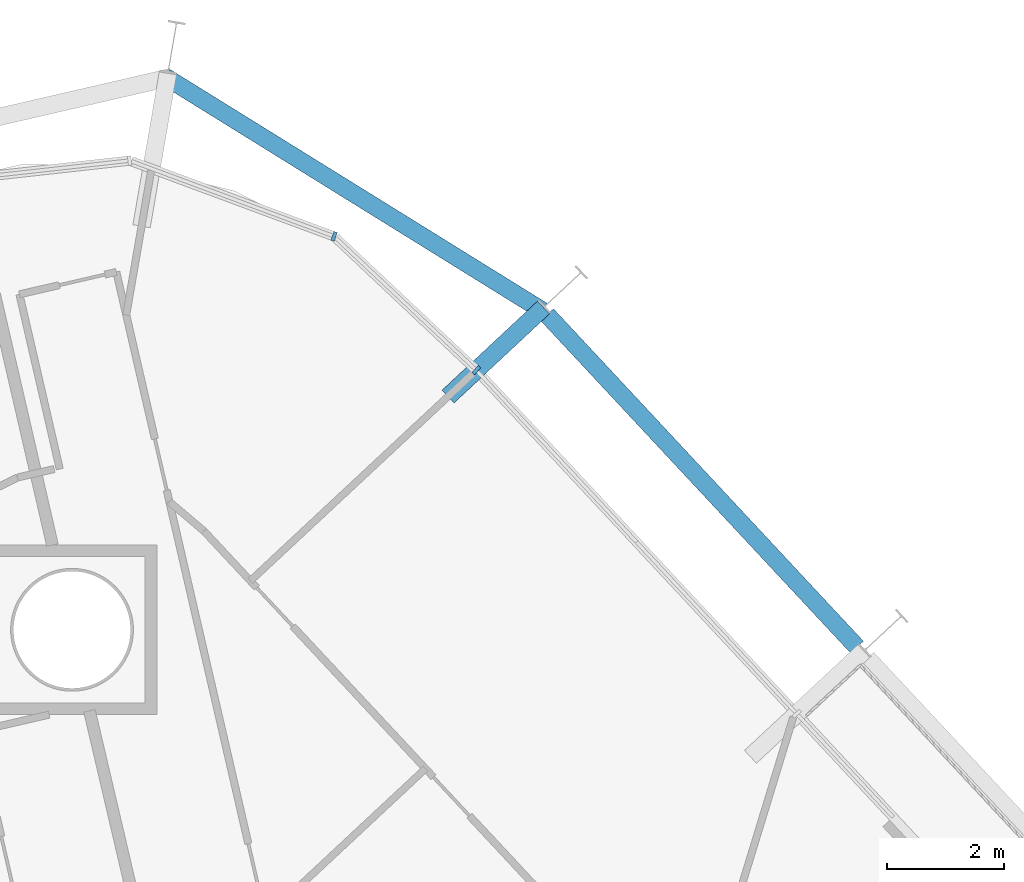
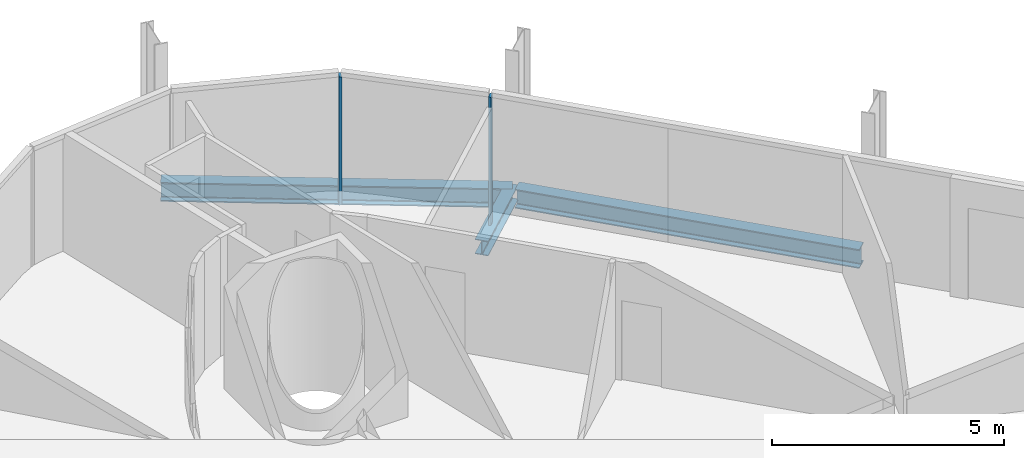
# One storey, part 8 of 18: 3 beams, 2 members, 1 element without a shape of its own.
"""IFC4 building model written with IfcOpenShell, lengths in metres."""

from ifc_helpers import new_model, si_unit, direction, frame, origin, origin_2d, place, context, subcontext, project, spatial, rectangle, i_section, extrude, material, layer, layer_set, material_profile, profile_set, type_object, element, aggregate, save


model = new_model("IFC4")

# Units and contexts
model_context = context("Model", 3, precision=1e-05, world=origin(), true_north=direction((0.0, 1.0)))
body_context = subcontext(model_context, "Body", "Model", "MODEL_VIEW")
ifc_project = project(units=[si_unit("LENGTHUNIT", "METRE"), si_unit("AREAUNIT", "SQUARE_METRE"), si_unit("VOLUMEUNIT", "CUBIC_METRE"), si_unit("PLANEANGLEUNIT", "RADIAN"), si_unit("MASSUNIT", "GRAM", prefix="KILO")], contexts=[model_context])

# Site, building, storey
site_placement = place(None, origin())
site = spatial("IfcSite", under=ifc_project, at=site_placement, CompositionType="ELEMENT")
building_placement = place(site_placement, origin())
building = spatial("IfcBuilding", under=site, at=building_placement, Name="Spindle Arch Residences", CompositionType="ELEMENT")
storey_placement = place(building_placement, frame((0.0, 0.0, 130.89990234375)))
storey = spatial("IfcBuildingStorey", under=building, at=storey_placement, Name="L32", CompositionType="ELEMENT", Elevation=130.89990234375)

# Curtain wall, members
ifc_material_1 = material(Name="Aluminium bronze unitised frame with tinted glass", Category="aluminium")
ifc_layer = layer(ifc_material_1, 0.159912109375)
ifc_layer_set = layer_set([ifc_layer], Name="CW-D corner wall on the fillet arcs")
curtain_wall_type = type_object("IfcCurtainWallType", Name="CW-D corner wall on the fillet arcs", PredefinedType="NOTDEFINED", material=ifc_layer_set)
curtain_wall_placement = place(storey_placement, origin())
curtain_wall = element("IfcCurtainWall", 1, at=curtain_wall_placement, inside=storey, type_object=curtain_wall_type, Name="CW-D L32 run 3", PredefinedType="NOTDEFINED")
ifc_material_2 = material(Name="Aluminium bronze anodised mullion", Category="aluminium")
ifc_material_profile_1 = material_profile(ifc_material_2, rectangle(XDim=0.159912109375, YDim=0.06005859375, at=origin_2d()), Name="MU 60x160")
ifc_profile_set_1 = profile_set([ifc_material_profile_1], Name="Aluminium bronze anodised mullion")
member_type = type_object("IfcMemberType", Name="Bronze mullion 60x160", PredefinedType="MULLION", material=ifc_profile_set_1)
member_1_placement = place(storey_placement, frame((2.010009765625, 25.6611328125, -0.3798828125), z_axis=(0.0, 0.0, 1.0), x_axis=(-0.685289870681, -0.728270412102, 0.0)))
member_1 = element("IfcMember", 2, at=member_1_placement, type_object=member_type, Name="CW-D mullion 00", PredefinedType="MULLION", context=body_context, shape_type="SweptSolid", body=[
    extrude(rectangle(XDim=0.159912109375, YDim=0.06005859375, at=origin_2d()), origin(), (0.0, 0.0, 1.0), 3.3798828125),
])
member_2_placement = place(storey_placement, frame((-0.420654296875, 27.9482421875, -0.3798828125), z_axis=(0.0, 0.0, 1.0), x_axis=(-0.347481235896, -0.937686936403, 0.0)))
member_2 = element("IfcMember", 3, at=member_2_placement, type_object=member_type, Name="CW-D mullion 01", PredefinedType="MULLION", context=body_context, shape_type="SweptSolid", body=[
    extrude(rectangle(XDim=0.159912109375, YDim=0.06005859375, at=origin_2d()), origin(), (0.0, 0.0, 1.0), 3.3798828125),
])
aggregate(curtain_wall, [member_1, member_2])

# Beams
ifc_material_3 = material(Name="Steel S460ML, intumescent coating R 120", Category="steel")
ifc_material_profile_2 = material_profile(ifc_material_3, i_section(OverallWidth=0.300048828125, OverallDepth=0.5, WebThickness=0.014404296875, FlangeThickness=0.028076171875, FilletRadius=0.027099609375, at=origin_2d()), Name="HEB 500")
ifc_profile_set_2 = profile_set([ifc_material_profile_2], Name="Steel S460ML, intumescent coating R 120")
beam_type_1 = type_object("IfcBeamType", Name="Exoskeleton edge beam HEB 500", PredefinedType="BEAM", material=ifc_profile_set_2)
beam_1_placement = place(storey_placement, frame((8.51611328125, 20.927490234375, -0.6298828125), z_axis=(-0.681975565737, 0.731374957007, 0.0), x_axis=(-0.731374957007, -0.681975565737, 0.0)))
element("IfcBeam", 4, at=beam_1_placement, inside=storey, type_object=beam_type_1, Name="Exoskeleton edge beam 9", PredefinedType="BEAM", context=body_context, shape_type="SweptSolid", body=[
    extrude(i_section(OverallWidth=0.300048828125, OverallDepth=0.5, WebThickness=0.014404296875, FlangeThickness=0.028076171875, FilletRadius=0.027099609375, at=origin_2d()), origin(), (0.0, 0.0, 1.0), 7.76904296875),
])
beam_2_placement = place(storey_placement, frame((3.14404296875, 26.67626953125, -0.6298828125), z_axis=(-0.849846805049, 0.52702979797, 0.0), x_axis=(-0.52702979797, -0.849846805049, 0.0)))
element("IfcBeam", 5, at=beam_2_placement, inside=storey, type_object=beam_type_1, Name="Exoskeleton edge beam 10", PredefinedType="BEAM", context=body_context, shape_type="SweptSolid", body=[
    extrude(i_section(OverallWidth=0.300048828125, OverallDepth=0.5, WebThickness=0.014404296875, FlangeThickness=0.028076171875, FilletRadius=0.027099609375, at=origin_2d()), origin(), (0.0, 0.0, 1.0), 7.591552734375),
])
ifc_material_4 = material(Name="Steel S460ML, intumescent coating R 120", Category="steel")
ifc_material_profile_3 = material_profile(ifc_material_4, i_section(OverallWidth=0.300048828125, OverallDepth=0.389892578125, WebThickness=0.010986328125, FlangeThickness=0.01904296875, FilletRadius=0.027099609375, at=origin_2d()), Name="HEA 400")
ifc_profile_set_3 = profile_set([ifc_material_profile_3], Name="Steel S460ML, intumescent coating R 120")
beam_type_2 = type_object("IfcBeamType", Name="Floor outrigger HEA 400", PredefinedType="BEAM", material=ifc_profile_set_3)
beam_3_placement = place(storey_placement, frame((3.158203125, 26.73193359375, -0.574951171875), z_axis=(-0.73130638013, -0.682049102618, 0.0), x_axis=(0.682049102618, -0.73130638013, 0.0)))
element("IfcBeam", 6, at=beam_3_placement, inside=storey, type_object=beam_type_2, Name="Floor outrigger 10", PredefinedType="BEAM", context=body_context, shape_type="SweptSolid", body=[
    extrude(i_section(OverallWidth=0.300048828125, OverallDepth=0.389892578125, WebThickness=0.010986328125, FlangeThickness=0.01904296875, FilletRadius=0.027099609375, at=origin_2d()), origin(), (0.0, 0.0, 1.0), 2.23046875),
])

save(model, "model.ifc")
